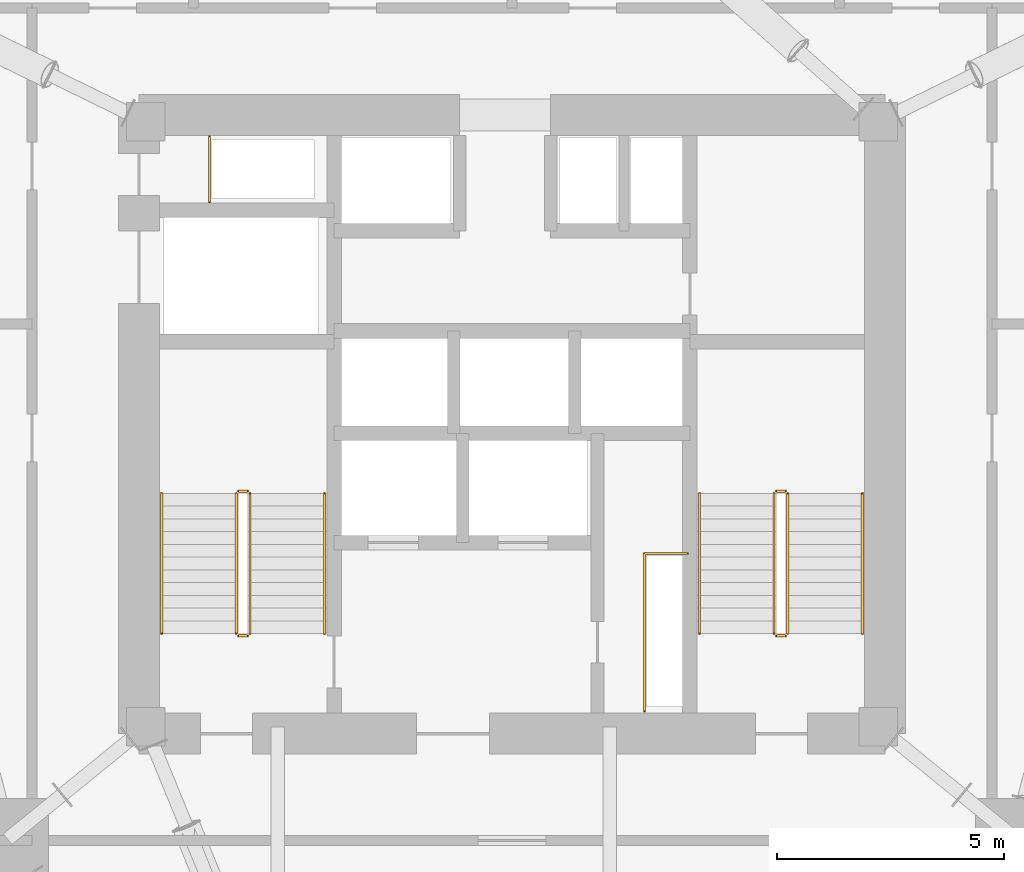
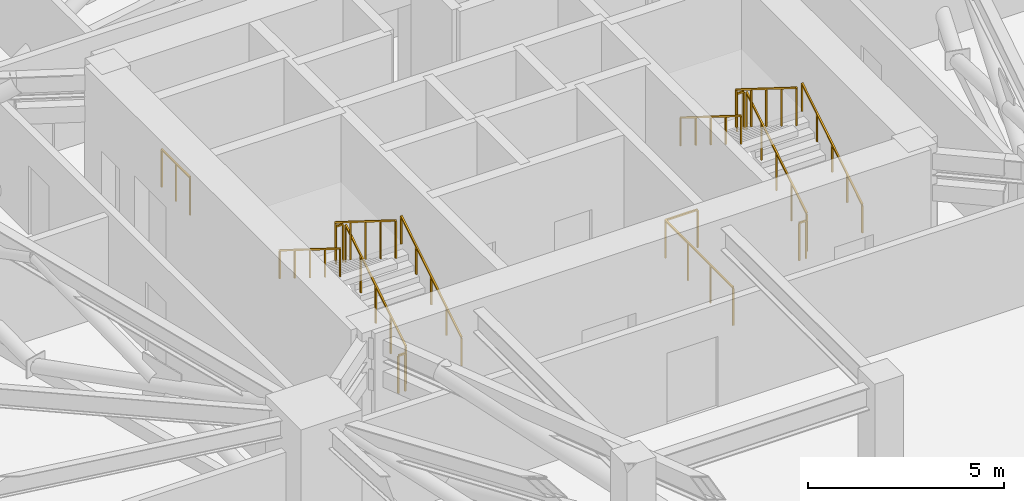
# One storey, part 20 of 20: 14 railings.
"""IFC4 building model written with IfcOpenShell, lengths in metres."""

from ifc_helpers import new_model, si_unit, direction, frame, origin, origin_2d, place, context, subcontext, project, spatial, rectangle, extrude, material, type_object, element, save


model = new_model("IFC4")

# Units and contexts
model_context = context("Model", 3, precision=1e-05, world=origin(), true_north=direction((0.0, 1.0)))
body_context = subcontext(model_context, "Body", "Model", "MODEL_VIEW")
ifc_project = project(units=[si_unit("LENGTHUNIT", "METRE"), si_unit("AREAUNIT", "SQUARE_METRE"), si_unit("VOLUMEUNIT", "CUBIC_METRE"), si_unit("PLANEANGLEUNIT", "RADIAN"), si_unit("MASSUNIT", "GRAM", prefix="KILO")], contexts=[model_context])

# Site, building, storey
site_placement = place(None, origin())
site = spatial("IfcSite", under=ifc_project, at=site_placement, CompositionType="ELEMENT")
building_placement = place(site_placement, origin())
building = spatial("IfcBuilding", under=site, at=building_placement, Name="Talyreon Biosciences Tower", CompositionType="ELEMENT")
storey_placement = place(building_placement, frame((0.0, 0.0, 70.800048828125)))
storey = spatial("IfcBuildingStorey", under=building, at=storey_placement, Name="L18", CompositionType="ELEMENT", Elevation=70.800048828125)

# Railings
ifc_material_1 = material(Name="Brushed stainless-steel tubular handrail", Category="steel")
railing_type_1 = type_object("IfcRailingType", Name="StairWallHandrail_900", PredefinedType="HANDRAIL", material=ifc_material_1)
railing_1_placement = place(storey_placement, frame((61.8798828125, 63.39990234375, 0.175048828125)))
element("IfcRailing", 1, at=railing_1_placement, inside=storey, type_object=railing_type_1, Name="L18 ST-1 stair handrail 1", PredefinedType="HANDRAIL", context=body_context, shape_type="SweptSolid", body=[
    extrude(rectangle(XDim=0.048095703125, YDim=0.048095703125, at=origin_2d()), frame((0.0, 0.0, 0.8759765625), z_axis=(0.0, 0.848028513186, 0.529950602248), x_axis=(-1.0, 0.0, 0.0)), (0.0, 0.0, 1.0), 3.632080078125),
    extrude(rectangle(XDim=0.0419921875, YDim=0.0419921875, at=origin_2d()), origin(), (0.0, 0.0, 1.0), 0.851806640625),
    extrude(rectangle(XDim=0.0419921875, YDim=0.0419921875, at=origin_2d()), frame((0.0, 0.77001953125, 0.481201171875)), (0.0, 0.0, 1.0), 0.851806640625),
    extrude(rectangle(XDim=0.0419921875, YDim=0.0419921875, at=origin_2d()), frame((0.0, 1.5400390625, 0.96240234375)), (0.0, 0.0, 1.0), 0.851806640625),
    extrude(rectangle(XDim=0.0419921875, YDim=0.0419921875, at=origin_2d()), frame((0.0, 2.31005859375, 1.443603515625)), (0.0, 0.0, 1.0), 0.851806640625),
    extrude(rectangle(XDim=0.0419921875, YDim=0.0419921875, at=origin_2d()), frame((0.0, 3.080078125, 1.9248046875)), (0.0, 0.0, 1.0), 0.851806640625),
])
railing_2_placement = place(storey_placement, frame((58.300048828125, 66.47998046875, 2.27490234375)))
element("IfcRailing", 2, at=railing_2_placement, inside=storey, type_object=railing_type_1, Name="L18 ST-1 stair handrail 2", PredefinedType="HANDRAIL", context=body_context, shape_type="SweptSolid", body=[
    extrude(rectangle(XDim=0.048095703125, YDim=0.048095703125, at=origin_2d()), frame((0.0, 0.0, 0.8759765625), z_axis=(0.0, -0.847998304005, 0.529998940003), x_axis=(1.0, 0.0, 0.0)), (0.0, 0.0, 1.0), 3.632080078125),
    extrude(rectangle(XDim=0.0419921875, YDim=0.0419921875, at=origin_2d()), origin(), (0.0, 0.0, 1.0), 0.851806640625),
    extrude(rectangle(XDim=0.0419921875, YDim=0.0419921875, at=origin_2d()), frame((0.0, -0.77001953125, 0.481201171875)), (0.0, 0.0, 1.0), 0.851806640625),
    extrude(rectangle(XDim=0.0419921875, YDim=0.0419921875, at=origin_2d()), frame((0.0, -1.5400390625, 0.96240234375)), (0.0, 0.0, 1.0), 0.851806640625),
    extrude(rectangle(XDim=0.0419921875, YDim=0.0419921875, at=origin_2d()), frame((0.0, -2.31005859375, 1.44384765625)), (0.0, 0.0, 1.0), 0.851806640625),
    extrude(rectangle(XDim=0.0419921875, YDim=0.0419921875, at=origin_2d()), frame((0.0, -3.080078125, 1.925048828125)), (0.0, 0.0, 1.0), 0.851806640625),
])
railing_3_placement = place(storey_placement, frame((73.699951171875, 63.39990234375, 0.175048828125)))
element("IfcRailing", 3, at=railing_3_placement, inside=storey, type_object=railing_type_1, Name="L18 ST-2 stair handrail 1", PredefinedType="HANDRAIL", context=body_context, shape_type="SweptSolid", body=[
    extrude(rectangle(XDim=0.048095703125, YDim=0.048095703125, at=origin_2d()), frame((0.0, 0.0, 0.8759765625), z_axis=(0.0, 0.848028513186, 0.529950602248), x_axis=(-1.0, 0.0, 0.0)), (0.0, 0.0, 1.0), 3.632080078125),
    extrude(rectangle(XDim=0.0419921875, YDim=0.0419921875, at=origin_2d()), origin(), (0.0, 0.0, 1.0), 0.851806640625),
    extrude(rectangle(XDim=0.0419921875, YDim=0.0419921875, at=origin_2d()), frame((0.0, 0.77001953125, 0.481201171875)), (0.0, 0.0, 1.0), 0.851806640625),
    extrude(rectangle(XDim=0.0419921875, YDim=0.0419921875, at=origin_2d()), frame((0.0, 1.5400390625, 0.96240234375)), (0.0, 0.0, 1.0), 0.851806640625),
    extrude(rectangle(XDim=0.0419921875, YDim=0.0419921875, at=origin_2d()), frame((0.0, 2.31005859375, 1.443603515625)), (0.0, 0.0, 1.0), 0.851806640625),
    extrude(rectangle(XDim=0.0419921875, YDim=0.0419921875, at=origin_2d()), frame((0.0, 3.080078125, 1.9248046875)), (0.0, 0.0, 1.0), 0.851806640625),
])
railing_4_placement = place(storey_placement, frame((70.1201171875, 66.47998046875, 2.27490234375)))
element("IfcRailing", 4, at=railing_4_placement, inside=storey, type_object=railing_type_1, Name="L18 ST-2 stair handrail 2", PredefinedType="HANDRAIL", context=body_context, shape_type="SweptSolid", body=[
    extrude(rectangle(XDim=0.048095703125, YDim=0.048095703125, at=origin_2d()), frame((0.0, 0.0, 0.8759765625), z_axis=(0.0, -0.847998304005, 0.529998940003), x_axis=(1.0, 0.0, 0.0)), (0.0, 0.0, 1.0), 3.632080078125),
    extrude(rectangle(XDim=0.0419921875, YDim=0.0419921875, at=origin_2d()), origin(), (0.0, 0.0, 1.0), 0.851806640625),
    extrude(rectangle(XDim=0.0419921875, YDim=0.0419921875, at=origin_2d()), frame((0.0, -0.77001953125, 0.481201171875)), (0.0, 0.0, 1.0), 0.851806640625),
    extrude(rectangle(XDim=0.0419921875, YDim=0.0419921875, at=origin_2d()), frame((0.0, -1.5400390625, 0.96240234375)), (0.0, 0.0, 1.0), 0.851806640625),
    extrude(rectangle(XDim=0.0419921875, YDim=0.0419921875, at=origin_2d()), frame((0.0, -2.31005859375, 1.44384765625)), (0.0, 0.0, 1.0), 0.851806640625),
    extrude(rectangle(XDim=0.0419921875, YDim=0.0419921875, at=origin_2d()), frame((0.0, -3.080078125, 1.925048828125)), (0.0, 0.0, 1.0), 0.851806640625),
])
ifc_material_2 = material(Name="Painted galvanised steel post-and-rail balustrade", Category="steel")
railing_type_2 = type_object("IfcRailingType", Name="TerraceStairGuard_1200", PredefinedType="GUARDRAIL", material=ifc_material_2)
railing_5_placement = place(storey_placement, frame((60.239990234375, 63.39990234375, 0.175048828125)))
element("IfcRailing", 5, at=railing_5_placement, inside=storey, type_object=railing_type_2, Name="L18 ST-1 stair guard 1", PredefinedType="GUARDRAIL", context=body_context, shape_type="SweptSolid", body=[
    extrude(rectangle(XDim=0.048095703125, YDim=0.048095703125, at=origin_2d()), frame((0.0, 0.0, 1.17578125), z_axis=(0.0, 0.848028513186, 0.529950602248), x_axis=(-1.0, 0.0, 0.0)), (0.0, 0.0, 1.0), 3.632080078125),
    extrude(rectangle(XDim=0.0419921875, YDim=0.0419921875, at=origin_2d()), origin(), (0.0, 0.0, 1.0), 1.15185546875),
    extrude(rectangle(XDim=0.0419921875, YDim=0.0419921875, at=origin_2d()), frame((0.0, 0.77001953125, 0.481201171875)), (0.0, 0.0, 1.0), 1.15185546875),
    extrude(rectangle(XDim=0.0419921875, YDim=0.0419921875, at=origin_2d()), frame((0.0, 1.5400390625, 0.96240234375)), (0.0, 0.0, 1.0), 1.15185546875),
    extrude(rectangle(XDim=0.0419921875, YDim=0.0419921875, at=origin_2d()), frame((0.0, 2.31005859375, 1.443603515625)), (0.0, 0.0, 1.0), 1.15185546875),
    extrude(rectangle(XDim=0.0419921875, YDim=0.0419921875, at=origin_2d()), frame((0.0, 3.080078125, 1.9248046875)), (0.0, 0.0, 1.0), 1.15185546875),
])
railing_6_placement = place(storey_placement, frame((60.18994140625, 66.530029296875, 2.099853515625)))
element("IfcRailing", 6, at=railing_6_placement, inside=storey, type_object=railing_type_2, Name="L18 ST-1 stair guard 2", PredefinedType="GUARDRAIL", context=body_context, shape_type="SweptSolid", body=[
    extrude(rectangle(XDim=0.048095703125, YDim=0.048095703125, at=origin_2d()), frame((0.0, 0.0, 1.17578125), z_axis=(-1.0, 0.0, 0.0), x_axis=(0.0, -1.0, 0.0)), (0.0, 0.0, 1.0), 0.199951171875),
    extrude(rectangle(XDim=0.0419921875, YDim=0.0419921875, at=origin_2d()), origin(), (0.0, 0.0, 1.0), 1.15185546875),
    extrude(rectangle(XDim=0.0419921875, YDim=0.0419921875, at=origin_2d()), frame((-0.199951171875, 0.0, 0.0)), (0.0, 0.0, 1.0), 1.15185546875),
])
railing_7_placement = place(storey_placement, frame((59.93994140625, 66.47998046875, 2.27490234375)))
element("IfcRailing", 7, at=railing_7_placement, inside=storey, type_object=railing_type_2, Name="L18 ST-1 stair guard 3", PredefinedType="GUARDRAIL", context=body_context, shape_type="SweptSolid", body=[
    extrude(rectangle(XDim=0.048095703125, YDim=0.048095703125, at=origin_2d()), frame((0.0, 0.0, 1.17578125), z_axis=(0.0, -0.847998304005, 0.529998940003), x_axis=(1.0, 0.0, 0.0)), (0.0, 0.0, 1.0), 3.632080078125),
    extrude(rectangle(XDim=0.0419921875, YDim=0.0419921875, at=origin_2d()), origin(), (0.0, 0.0, 1.0), 1.15185546875),
    extrude(rectangle(XDim=0.0419921875, YDim=0.0419921875, at=origin_2d()), frame((0.0, -0.77001953125, 0.481201171875)), (0.0, 0.0, 1.0), 1.15185546875),
    extrude(rectangle(XDim=0.0419921875, YDim=0.0419921875, at=origin_2d()), frame((0.0, -1.5400390625, 0.96240234375)), (0.0, 0.0, 1.0), 1.15185546875),
    extrude(rectangle(XDim=0.0419921875, YDim=0.0419921875, at=origin_2d()), frame((0.0, -2.31005859375, 1.44384765625)), (0.0, 0.0, 1.0), 1.15185546875),
    extrude(rectangle(XDim=0.0419921875, YDim=0.0419921875, at=origin_2d()), frame((0.0, -3.080078125, 1.925048828125)), (0.0, 0.0, 1.0), 1.15185546875),
])
railing_8_placement = place(storey_placement, frame((60.18994140625, 63.35009765625, 0.0)))
element("IfcRailing", 8, at=railing_8_placement, inside=storey, type_object=railing_type_2, Name="L18 ST-1 stair guard 4", PredefinedType="GUARDRAIL", context=body_context, shape_type="SweptSolid", body=[
    extrude(rectangle(XDim=0.048095703125, YDim=0.048095703125, at=origin_2d()), frame((0.0, 0.0, 1.17578125), z_axis=(-1.0, 0.0, 0.0), x_axis=(0.0, -1.0, 0.0)), (0.0, 0.0, 1.0), 0.199951171875),
    extrude(rectangle(XDim=0.0419921875, YDim=0.0419921875, at=origin_2d()), origin(), (0.0, 0.0, 1.0), 1.15185546875),
    extrude(rectangle(XDim=0.0419921875, YDim=0.0419921875, at=origin_2d()), frame((-0.199951171875, 0.0, 0.0)), (0.0, 0.0, 1.0), 1.15185546875),
])
railing_9_placement = place(storey_placement, frame((72.06005859375, 63.39990234375, 0.175048828125)))
element("IfcRailing", 9, at=railing_9_placement, inside=storey, type_object=railing_type_2, Name="L18 ST-2 stair guard 1", PredefinedType="GUARDRAIL", context=body_context, shape_type="SweptSolid", body=[
    extrude(rectangle(XDim=0.048095703125, YDim=0.048095703125, at=origin_2d()), frame((0.0, 0.0, 1.17578125), z_axis=(0.0, 0.848028513186, 0.529950602248), x_axis=(-1.0, 0.0, 0.0)), (0.0, 0.0, 1.0), 3.632080078125),
    extrude(rectangle(XDim=0.0419921875, YDim=0.0419921875, at=origin_2d()), origin(), (0.0, 0.0, 1.0), 1.15185546875),
    extrude(rectangle(XDim=0.0419921875, YDim=0.0419921875, at=origin_2d()), frame((0.0, 0.77001953125, 0.481201171875)), (0.0, 0.0, 1.0), 1.15185546875),
    extrude(rectangle(XDim=0.0419921875, YDim=0.0419921875, at=origin_2d()), frame((0.0, 1.5400390625, 0.96240234375)), (0.0, 0.0, 1.0), 1.15185546875),
    extrude(rectangle(XDim=0.0419921875, YDim=0.0419921875, at=origin_2d()), frame((0.0, 2.31005859375, 1.443603515625)), (0.0, 0.0, 1.0), 1.15185546875),
    extrude(rectangle(XDim=0.0419921875, YDim=0.0419921875, at=origin_2d()), frame((0.0, 3.080078125, 1.9248046875)), (0.0, 0.0, 1.0), 1.15185546875),
])
railing_10_placement = place(storey_placement, frame((72.010009765625, 66.530029296875, 2.099853515625)))
element("IfcRailing", 10, at=railing_10_placement, inside=storey, type_object=railing_type_2, Name="L18 ST-2 stair guard 2", PredefinedType="GUARDRAIL", context=body_context, shape_type="SweptSolid", body=[
    extrude(rectangle(XDim=0.048095703125, YDim=0.048095703125, at=origin_2d()), frame((0.0, 0.0, 1.17578125), z_axis=(-1.0, 0.0, 0.0), x_axis=(0.0, -1.0, 0.0)), (0.0, 0.0, 1.0), 0.199951171875),
    extrude(rectangle(XDim=0.0419921875, YDim=0.0419921875, at=origin_2d()), origin(), (0.0, 0.0, 1.0), 1.15185546875),
    extrude(rectangle(XDim=0.0419921875, YDim=0.0419921875, at=origin_2d()), frame((-0.199951171875, 0.0, 0.0)), (0.0, 0.0, 1.0), 1.15185546875),
])
railing_11_placement = place(storey_placement, frame((71.760009765625, 66.47998046875, 2.27490234375)))
element("IfcRailing", 11, at=railing_11_placement, inside=storey, type_object=railing_type_2, Name="L18 ST-2 stair guard 3", PredefinedType="GUARDRAIL", context=body_context, shape_type="SweptSolid", body=[
    extrude(rectangle(XDim=0.048095703125, YDim=0.048095703125, at=origin_2d()), frame((0.0, 0.0, 1.17578125), z_axis=(0.0, -0.847998304005, 0.529998940003), x_axis=(1.0, 0.0, 0.0)), (0.0, 0.0, 1.0), 3.632080078125),
    extrude(rectangle(XDim=0.0419921875, YDim=0.0419921875, at=origin_2d()), origin(), (0.0, 0.0, 1.0), 1.15185546875),
    extrude(rectangle(XDim=0.0419921875, YDim=0.0419921875, at=origin_2d()), frame((0.0, -0.77001953125, 0.481201171875)), (0.0, 0.0, 1.0), 1.15185546875),
    extrude(rectangle(XDim=0.0419921875, YDim=0.0419921875, at=origin_2d()), frame((0.0, -1.5400390625, 0.96240234375)), (0.0, 0.0, 1.0), 1.15185546875),
    extrude(rectangle(XDim=0.0419921875, YDim=0.0419921875, at=origin_2d()), frame((0.0, -2.31005859375, 1.44384765625)), (0.0, 0.0, 1.0), 1.15185546875),
    extrude(rectangle(XDim=0.0419921875, YDim=0.0419921875, at=origin_2d()), frame((0.0, -3.080078125, 1.925048828125)), (0.0, 0.0, 1.0), 1.15185546875),
])
railing_12_placement = place(storey_placement, frame((72.010009765625, 63.35009765625, 0.0)))
element("IfcRailing", 12, at=railing_12_placement, inside=storey, type_object=railing_type_2, Name="L18 ST-2 stair guard 4", PredefinedType="GUARDRAIL", context=body_context, shape_type="SweptSolid", body=[
    extrude(rectangle(XDim=0.048095703125, YDim=0.048095703125, at=origin_2d()), frame((0.0, 0.0, 1.17578125), z_axis=(-1.0, 0.0, 0.0), x_axis=(0.0, -1.0, 0.0)), (0.0, 0.0, 1.0), 0.199951171875),
    extrude(rectangle(XDim=0.0419921875, YDim=0.0419921875, at=origin_2d()), origin(), (0.0, 0.0, 1.0), 1.15185546875),
    extrude(rectangle(XDim=0.0419921875, YDim=0.0419921875, at=origin_2d()), frame((-0.199951171875, 0.0, 0.0)), (0.0, 0.0, 1.0), 1.15185546875),
])
railing_13_placement = place(storey_placement, frame((59.35009765625, 72.8798828125, 0.0)))
element("IfcRailing", 13, at=railing_13_placement, inside=storey, type_object=railing_type_2, Name="L18 Exhaust Riser Maintenance Guardrail", PredefinedType="GUARDRAIL", context=body_context, shape_type="SweptSolid", body=[
    extrude(rectangle(XDim=0.048095703125, YDim=0.048095703125, at=origin_2d()), frame((0.0, 0.0, 1.17578125), z_axis=(0.0, 1.0, 0.0), x_axis=(-1.0, 0.0, 0.0)), (0.0, 0.0, 1.0), 1.4501953125),
    extrude(rectangle(XDim=0.0419921875, YDim=0.0419921875, at=origin_2d()), origin(), (0.0, 0.0, 1.0), 1.15185546875),
    extrude(rectangle(XDim=0.0419921875, YDim=0.0419921875, at=origin_2d()), frame((0.0, 0.72509765625, 0.0)), (0.0, 0.0, 1.0), 1.15185546875),
    extrude(rectangle(XDim=0.0419921875, YDim=0.0419921875, at=origin_2d()), frame((0.0, 1.4501953125, 0.0)), (0.0, 0.0, 1.0), 1.15185546875),
])
railing_14_placement = place(storey_placement, frame((68.909912109375, 61.699951171875, 0.0)))
element("IfcRailing", 14, at=railing_14_placement, inside=storey, type_object=railing_type_2, Name="L18 Electrical Riser Maintenance Guardrail", PredefinedType="GUARDRAIL", context=body_context, shape_type="SweptSolid", body=[
    extrude(rectangle(XDim=0.048095703125, YDim=0.048095703125, at=origin_2d()), frame((0.0, 0.0, 1.17578125), z_axis=(0.0, 1.0, 0.0), x_axis=(-1.0, 0.0, 0.0)), (0.0, 0.0, 1.0), 3.4599609375),
    extrude(rectangle(XDim=0.048095703125, YDim=0.048095703125, at=origin_2d()), frame((0.0, 3.4599609375, 1.17578125), z_axis=(1.0, 0.0, 0.0), x_axis=(0.0, 1.0, 0.0)), (0.0, 0.0, 1.0), 0.9501953125),
    extrude(rectangle(XDim=0.0419921875, YDim=0.0419921875, at=origin_2d()), origin(), (0.0, 0.0, 1.0), 1.15185546875),
    extrude(rectangle(XDim=0.0419921875, YDim=0.0419921875, at=origin_2d()), frame((0.0, 1.1533203125, 0.0)), (0.0, 0.0, 1.0), 1.15185546875),
    extrude(rectangle(XDim=0.0419921875, YDim=0.0419921875, at=origin_2d()), frame((0.0, 2.306640625, 0.0)), (0.0, 0.0, 1.0), 1.15185546875),
    extrude(rectangle(XDim=0.0419921875, YDim=0.0419921875, at=origin_2d()), frame((0.0, 3.4599609375, 0.0)), (0.0, 0.0, 1.0), 1.15185546875),
    extrude(rectangle(XDim=0.0419921875, YDim=0.0419921875, at=origin_2d()), frame((0.9501953125, 3.4599609375, 0.0)), (0.0, 0.0, 1.0), 1.15185546875),
])

save(model, "model.ifc")
